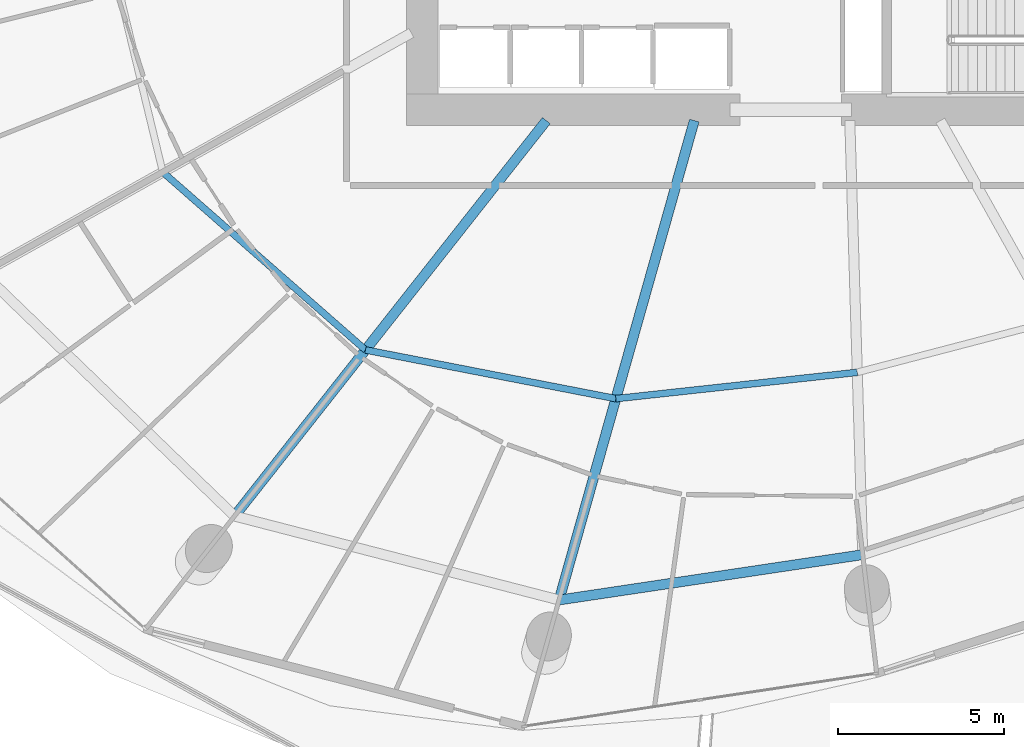
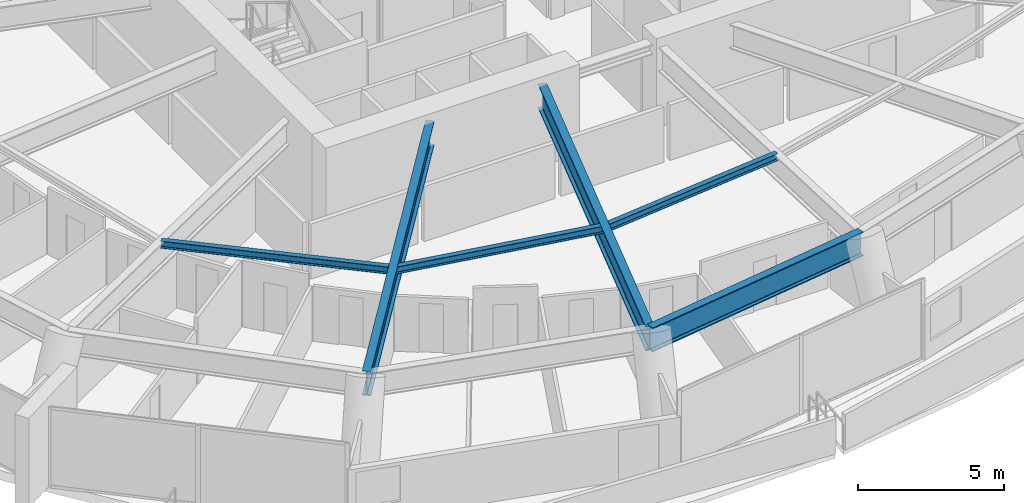
# One storey, part 7 of 31: 6 beams.
"""IFC4 building model written with IfcOpenShell, lengths in metres."""

from ifc_helpers import new_model, si_unit, direction, frame, origin, origin_2d, place, context, subcontext, project, spatial, i_section, extrude, material, material_profile, profile_set, type_object, element, save


model = new_model("IFC4")

# Units and contexts
model_context = context("Model", 3, precision=1e-05, world=origin(), true_north=direction((0.0, 1.0)))
body_context = subcontext(model_context, "Body", "Model", "MODEL_VIEW")
ifc_project = project(units=[si_unit("LENGTHUNIT", "METRE"), si_unit("AREAUNIT", "SQUARE_METRE"), si_unit("VOLUMEUNIT", "CUBIC_METRE"), si_unit("PLANEANGLEUNIT", "RADIAN"), si_unit("MASSUNIT", "GRAM", prefix="KILO")], contexts=[model_context])

# Site, building, storey
site_placement = place(None, origin())
site = spatial("IfcSite", under=ifc_project, at=site_placement, CompositionType="ELEMENT")
building_placement = place(site_placement, origin())
building = spatial("IfcBuilding", under=site, at=building_placement, Name="Kazma Halo Residences", CompositionType="ELEMENT")
storey_placement = place(building_placement, frame((0.0, 0.0, 71.39990234375)))
storey = spatial("IfcBuildingStorey", under=building, at=storey_placement, Name="L17", CompositionType="ELEMENT", Elevation=71.39990234375)

# Beams
ifc_material = material(Name="Steel S355", Category="steel")
ifc_material_profile_1 = material_profile(ifc_material, i_section(OverallWidth=0.202880859375, OverallDepth=0.302978515625, WebThickness=0.007568359375, FlangeThickness=0.01318359375, FilletRadius=0.013916015625, at=origin_2d()), Name="W310x60")
ifc_profile_set_1 = profile_set([ifc_material_profile_1], Name="Steel S355")
beam_type_1 = type_object("IfcBeamType", Name="BM-SEC-W310A", PredefinedType="JOIST", material=ifc_profile_set_1)
beam_1_placement = place(storey_placement, frame((29.51611328125, 31.6484375, 3.198486328125), z_axis=(0.751704184837, -0.659500431008, 0.0), x_axis=(0.659500431008, 0.751704184837, 0.0)))
element("IfcBeam", 1, at=beam_1_placement, inside=storey, type_object=beam_type_1, Name="L17 circumferential floor joist 09", PredefinedType="JOIST", context=body_context, shape_type="SweptSolid", body=[
    extrude(i_section(OverallWidth=0.202880859375, OverallDepth=0.302978515625, WebThickness=0.007568359375, FlangeThickness=0.01318359375, FilletRadius=0.013916015625, at=origin_2d()), origin(), (0.0, 0.0, 1.0), 8.1181640625),
])
beam_2_placement = place(storey_placement, frame((35.61865234375, 26.29443359375, 3.198486328125), z_axis=(0.98160264755, -0.190935178326, 0.0), x_axis=(0.190935178326, 0.98160264755, 0.0)))
element("IfcBeam", 2, at=beam_2_placement, inside=storey, type_object=beam_type_1, Name="L17 circumferential floor joist 10", PredefinedType="JOIST", context=body_context, shape_type="SweptSolid", body=[
    extrude(i_section(OverallWidth=0.202880859375, OverallDepth=0.302978515625, WebThickness=0.007568359375, FlangeThickness=0.01318359375, FilletRadius=0.013916015625, at=origin_2d()), origin(), (0.0, 0.0, 1.0), 7.6796875),
])
beam_3_placement = place(storey_placement, frame((43.156982421875, 24.828125, 3.198486328125), z_axis=(0.994119247642, 0.108290911293, 0.0), x_axis=(-0.108290911293, 0.994119247642, 0.0)))
element("IfcBeam", 3, at=beam_3_placement, inside=storey, type_object=beam_type_1, Name="L17 circumferential floor joist 11", PredefinedType="JOIST", context=body_context, shape_type="SweptSolid", body=[
    extrude(i_section(OverallWidth=0.202880859375, OverallDepth=0.302978515625, WebThickness=0.007568359375, FlangeThickness=0.01318359375, FilletRadius=0.013916015625, at=origin_2d()), origin(), (0.0, 0.0, 1.0), 7.311279296875),
])
ifc_material_profile_2 = material_profile(ifc_material, i_section(OverallWidth=0.302001953125, OverallDepth=1.01806640625, WebThickness=0.021484375, FlangeThickness=0.049072265625, FilletRadius=0.028076171875, at=origin_2d()), Name="W1000x443")
ifc_profile_set_2 = profile_set([ifc_material_profile_2], Name="Steel S355")
beam_type_2 = type_object("IfcBeamType", Name="BM-TRANS-W1000A", PredefinedType="BEAM", material=ifc_profile_set_2)
beam_4_placement = place(storey_placement, frame((41.0625, 33.199951171875, 2.841064453125), z_axis=(-0.619088077541, -0.785321559774, 0.0), x_axis=(0.785321559774, -0.619088077541, 0.0)))
element("IfcBeam", 4, at=beam_4_placement, inside=storey, type_object=beam_type_2, Name="L17 podium radial transfer girder 10", PredefinedType="BEAM", context=body_context, shape_type="SweptSolid", body=[
    extrude(i_section(OverallWidth=0.302001953125, OverallDepth=1.01806640625, WebThickness=0.021484375, FlangeThickness=0.049072265625, FilletRadius=0.028076171875, at=origin_2d()), origin(), (0.0, 0.0, 1.0), 15.160888671875),
])
beam_5_placement = place(storey_placement, frame((45.51806640625, 33.199951171875, 2.841064453125), z_axis=(-0.271438512298, -0.962455782902, 0.0), x_axis=(0.962455782902, -0.271438512298, 0.0)))
element("IfcBeam", 5, at=beam_5_placement, inside=storey, type_object=beam_type_2, Name="L17 podium radial transfer girder 11", PredefinedType="BEAM", context=body_context, shape_type="SweptSolid", body=[
    extrude(i_section(OverallWidth=0.302001953125, OverallDepth=1.01806640625, WebThickness=0.021484375, FlangeThickness=0.049072265625, FilletRadius=0.028076171875, at=origin_2d()), origin(), (0.0, 0.0, 1.0), 14.9970703125),
])
ifc_material_profile_3 = material_profile(ifc_material, i_section(OverallWidth=0.300048828125, OverallDepth=1.0, WebThickness=0.01904296875, FlangeThickness=0.0400390625, FilletRadius=0.02587890625, at=origin_2d()), Name="W1000x371")
ifc_profile_set_3 = profile_set([ifc_material_profile_3], Name="Steel S355")
beam_type_3 = type_object("IfcBeamType", Name="BM-TRANS-W1000B", PredefinedType="BEAM", material=ifc_profile_set_3)
beam_6_placement = place(storey_placement, frame((41.447265625, 18.765869140625, 2.85009765625), z_axis=(0.989034176303, 0.147686824414, 0.0), x_axis=(-0.147686824414, 0.989034176303, 0.0)))
element("IfcBeam", 6, at=beam_6_placement, inside=storey, type_object=beam_type_3, Name="L17 perimeter ring beam 11", PredefinedType="BEAM", context=body_context, shape_type="SweptSolid", body=[
    extrude(i_section(OverallWidth=0.300048828125, OverallDepth=1.0, WebThickness=0.01904296875, FlangeThickness=0.0400390625, FilletRadius=0.02587890625, at=origin_2d()), origin(), (0.0, 0.0, 1.0), 9.242431640625),
])

save(model, "model.ifc")
